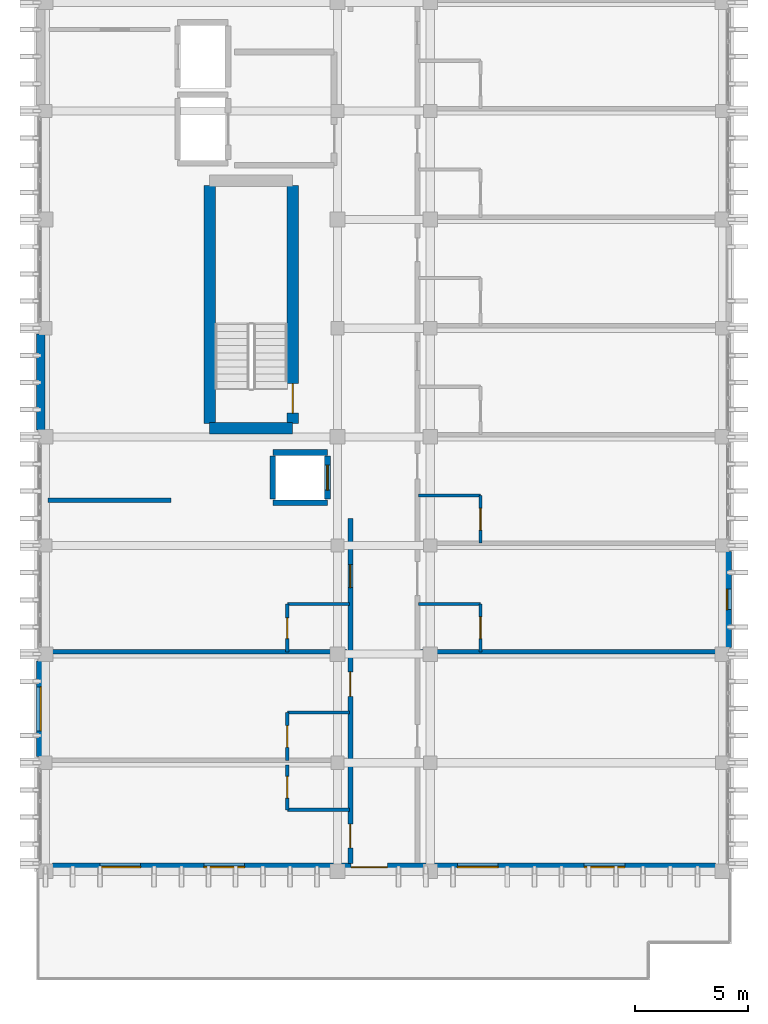
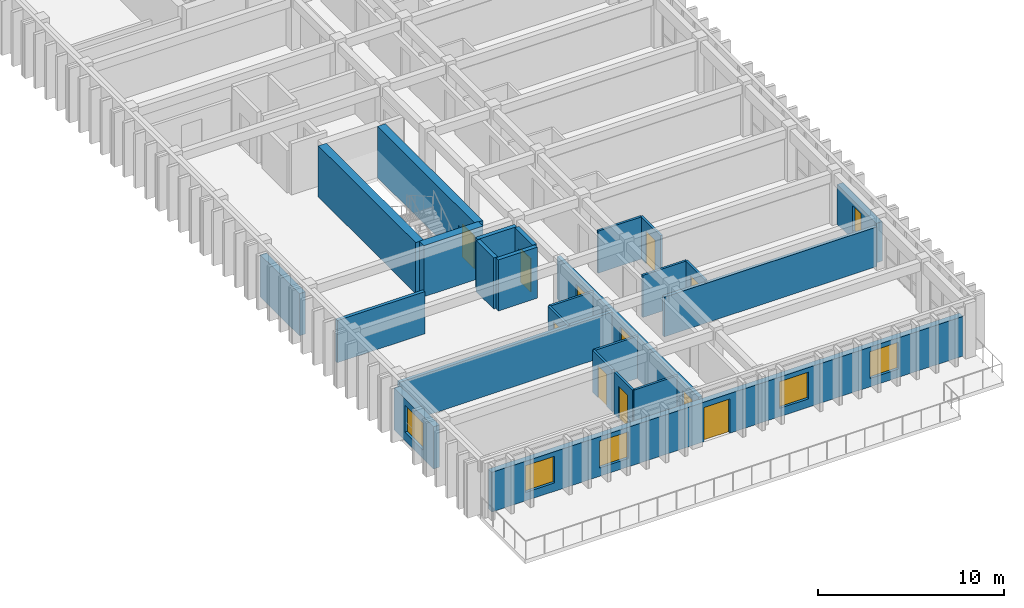
# One storey, part 40 of 49: 25 walls, 11 doors, 6 windows, 17 openings.
"""IFC4 building model written with IfcOpenShell, lengths in metres."""

from ifc_helpers import new_model, si_unit, direction, frame, frame_2d, origin, place, context, subcontext, project, spatial, rectangle, extrude, material, layer, layer_set, type_object, element, fill, save


model = new_model("IFC4")

# Units and contexts
model_context = context("Model", 3, precision=1e-05, world=origin(), true_north=direction((0.0, 1.0)))
body_context = subcontext(model_context, "Body", "Model", "MODEL_VIEW")
ifc_project = project(units=[si_unit("LENGTHUNIT", "METRE"), si_unit("AREAUNIT", "SQUARE_METRE"), si_unit("VOLUMEUNIT", "CUBIC_METRE"), si_unit("PLANEANGLEUNIT", "RADIAN"), si_unit("MASSUNIT", "GRAM", prefix="KILO")], contexts=[model_context])

# Site, building, storey
site_placement = place(None, origin())
site = spatial("IfcSite", under=ifc_project, at=site_placement, CompositionType="ELEMENT")
building_placement = place(site_placement, origin())
building = spatial("IfcBuilding", under=site, at=building_placement, Name="Nakhvara Creek Congress Hotel", CompositionType="ELEMENT")
storey_placement = place(building_placement, frame((0.0, 0.0, 39.0)))
storey = spatial("IfcBuildingStorey", under=building, at=storey_placement, Name="L09", CompositionType="ELEMENT", Elevation=39.0)

# Walls
ifc_material_1 = material(Name="Concrete C50/60", Category="concrete")
ifc_layer_1 = layer(ifc_material_1, 0.5)
ifc_layer_set_1 = layer_set([ifc_layer_1], Name="Concrete C50/60")
wall_type_1 = type_object("IfcWallType", Name="W-CORE-500", PredefinedType="SHEAR", material=ifc_layer_set_1)
wall_1_placement = place(storey_placement, frame((156.699951171875, 77.179931640625, 0.0), z_axis=(0.0, 0.0, 1.0), x_axis=(1.0, 0.0, 0.0)))
element("IfcWall", 1, at=wall_1_placement, inside=storey, type_object=wall_type_1, Name="Core Shear Wall WS01-CWALL-L09-0199", PredefinedType="SHEAR", context=body_context, shape_type="SweptSolid", body=[
    extrude(rectangle(XDim=3.670166015625, YDim=0.5, at=frame_2d((1.8349609375, 0.0))), origin(), (0.0, 0.0, 1.0), 3.360107421875),
])
wall_2_placement = place(storey_placement, frame((156.699951171875, 77.39990234375, 0.0), z_axis=(0.0, 0.0, 1.0), x_axis=(0.0, 1.0, 0.0)))
element("IfcWall", 2, at=wall_2_placement, inside=storey, type_object=wall_type_1, Name="Core Shear Wall WS01-CWALL-L09-0201", PredefinedType="SHEAR", context=body_context, shape_type="SweptSolid", body=[
    extrude(rectangle(XDim=10.5, YDim=0.5, at=frame_2d((5.25, 0.0))), origin(), (0.0, 0.0, 1.0), 3.360107421875),
])

# Wall, opening, door
wall_3_placement = place(storey_placement, frame((160.3701171875, 77.39990234375, 0.0), z_axis=(0.0, 0.0, 1.0), x_axis=(0.0, 1.0, 0.0)))
wall_3 = element("IfcWall", 3, at=wall_3_placement, inside=storey, type_object=wall_type_1, Name="Core Shear Wall WS01-CWALL-L09-0202", PredefinedType="SHEAR", context=body_context, shape_type="SweptSolid", body=[
    extrude(rectangle(XDim=10.5, YDim=0.5, at=frame_2d((5.25, 0.0))), origin(), (0.0, 0.0, 1.0), 3.360107421875),
])
opening_1_placement = place(wall_3_placement, frame((0.449951171875, 0.0, 0.0)))
opening_1 = element("IfcOpeningElement", 4, at=opening_1_placement, cuts=wall_3, Name="Opening FD04", PredefinedType="OPENING", context=body_context, shape_type="SweptSolid", body=[
    extrude(rectangle(XDim=1.300048828125, YDim=2.14990234375, at=frame_2d((0.64990234375, 1.074951171875))), frame((0.0, 0.261962890625, 0.0), z_axis=(0.0, -1.0, 0.0), x_axis=(1.0, 0.0, 0.0)), (0.0, 0.0, 1.0), 0.52392578125),
])
ifc_material_2 = material(Name="Powder-coated steel fire door", Category="steel")
door_type_1 = type_object("IfcDoorType", Name="DT-STAIR-130", OperationType="NOTDEFINED", PredefinedType="DOOR", material=ifc_material_2)
door_1_placement = place(opening_1_placement, frame((1.300048828125, 0.0, 0.0), z_axis=(0.0, 0.0, 1.0), x_axis=(-1.0, 0.0, 0.0)))
door_1 = element("IfcDoor", 5, at=door_1_placement, inside=storey, type_object=door_type_1, Name="Stair Exit Door ST01-L09", OperationType="SINGLE_SWING_LEFT", OverallHeight=2.14990234375, OverallWidth=1.300048828125, PredefinedType="DOOR", context=body_context, shape_type="SweptSolid", body=[
    extrude(rectangle(XDim=1.300048828125, YDim=2.14990234375, at=frame_2d((0.64990234375, 1.074951171875))), frame((0.0, 0.02490234375, 0.0), z_axis=(0.0, -1.0, 0.0), x_axis=(1.0, 0.0, 0.0)), (0.0, 0.0, 1.0), 0.050048828125),
])
fill(opening_1, door_1)

# Wall, openings, doors
ifc_material_3 = material(Name="Gypsum acoustic board on steel stud", Category="steel")
ifc_layer_2 = layer(ifc_material_3, 0.219970703125)
ifc_layer_set_2 = layer_set([ifc_layer_2], Name="Gypsum acoustic board on steel stud")
wall_type_2 = type_object("IfcWallType", Name="W-CORR-220", PredefinedType="PARTITIONING", material=ifc_layer_set_2)
wall_4_placement = place(storey_placement, frame((162.919921875, 57.949951171875, 0.0), z_axis=(0.0, 0.0, 1.0), x_axis=(0.0, 1.0, 0.0)))
wall_4 = element("IfcWall", 6, at=wall_4_placement, inside=storey, type_object=wall_type_2, Name="Interior Wall WP11-IW-L09-0646", PredefinedType="PARTITIONING", context=body_context, shape_type="SweptSolid", body=[
    extrude(rectangle(XDim=15.25, YDim=0.219970703125, at=frame_2d((7.625, 0.0))), origin(), (0.0, 0.0, 1.0), 2.77197265625),
])
opening_2_placement = place(wall_4_placement, frame((0.69091796875, 0.0, 0.0)))
opening_2 = element("IfcOpeningElement", 7, at=opening_2_placement, cuts=wall_4, Name="Opening ID04", PredefinedType="OPENING", context=body_context, shape_type="SweptSolid", body=[
    extrude(rectangle(XDim=1.050048828125, YDim=2.179931640625, at=frame_2d((0.52490234375, 1.08984375))), frame((0.0, 0.1220703125, 0.0), z_axis=(0.0, -1.0, 0.0), x_axis=(1.0, 0.0, 0.0)), (0.0, 0.0, 1.0), 0.243896484375),
])
opening_3_placement = place(wall_4_placement, frame((7.387939453125, 0.0, 0.0)))
opening_3 = element("IfcOpeningElement", 8, at=opening_3_placement, cuts=wall_4, Name="Opening GD02", PredefinedType="OPENING", context=body_context, shape_type="SweptSolid", body=[
    extrude(rectangle(XDim=1.080078125, YDim=2.25, at=frame_2d((0.5400390625, 1.125))), frame((0.0, 0.1220703125, 0.0), z_axis=(0.0, -1.0, 0.0), x_axis=(1.0, 0.0, 0.0)), (0.0, 0.0, 1.0), 0.243896484375),
])
opening_4_placement = place(wall_4_placement, frame((12.18798828125, 0.0, 0.0)))
opening_4 = element("IfcOpeningElement", 9, at=opening_4_placement, cuts=wall_4, Name="Opening GD01", PredefinedType="OPENING", context=body_context, shape_type="SweptSolid", body=[
    extrude(rectangle(XDim=1.02001953125, YDim=2.199951171875, at=frame_2d((0.510009765625, 1.10009765625))), frame((0.0, 0.1220703125, 0.0), z_axis=(0.0, -1.0, 0.0), x_axis=(1.0, 0.0, 0.0)), (0.0, 0.0, 1.0), 0.243896484375),
])
ifc_material_4 = material(Name="Walnut hardwood timber fire door", Category="wood")
door_type_2 = type_object("IfcDoorType", Name="DT-GUEST-102", OperationType="NOTDEFINED", PredefinedType="DOOR", material=ifc_material_4)
door_2_placement = place(opening_4_placement, frame((1.02001953125, 0.0, 0.0), z_axis=(0.0, 0.0, 1.0), x_axis=(-1.0, 0.0, 0.0)))
door_2 = element("IfcDoor", 10, at=door_2_placement, inside=storey, type_object=door_type_2, Name="Interior Door GD01-0484", OperationType="SINGLE_SWING_LEFT", OverallHeight=2.199951171875, OverallWidth=1.02001953125, PredefinedType="DOOR", context=body_context, shape_type="SweptSolid", body=[
    extrude(rectangle(XDim=1.02001953125, YDim=2.199951171875, at=frame_2d((0.510009765625, 1.10009765625))), frame((0.0, 0.02490234375, 0.0), z_axis=(0.0, -1.0, 0.0), x_axis=(1.0, 0.0, 0.0)), (0.0, 0.0, 1.0), 0.050048828125),
])
fill(opening_4, door_2)
door_type_3 = type_object("IfcDoorType", Name="DT-GUEST-108", OperationType="NOTDEFINED", PredefinedType="DOOR", material=ifc_material_4)
door_3_placement = place(opening_3_placement, frame((1.080078125, 0.0, 0.0), z_axis=(0.0, 0.0, 1.0), x_axis=(-1.0, 0.0, 0.0)))
door_3 = element("IfcDoor", 11, at=door_3_placement, inside=storey, type_object=door_type_3, Name="Interior Door GD02-0482", OperationType="SINGLE_SWING_LEFT", OverallHeight=2.25, OverallWidth=1.080078125, PredefinedType="DOOR", context=body_context, shape_type="SweptSolid", body=[
    extrude(rectangle(XDim=1.080078125, YDim=2.25, at=frame_2d((0.5400390625, 1.125))), frame((0.0, 0.02490234375, 0.0), z_axis=(0.0, -1.0, 0.0), x_axis=(1.0, 0.0, 0.0)), (0.0, 0.0, 1.0), 0.050048828125),
])
fill(opening_3, door_3)
ifc_material_5 = material(Name="Teak timber & frosted glass spa door", Category="wood")
door_type_4 = type_object("IfcDoorType", Name="DT-SPA-105", OperationType="NOTDEFINED", PredefinedType="DOOR", material=ifc_material_5)
door_4_placement = place(opening_2_placement, frame((1.050048828125, 0.0, 0.0), z_axis=(0.0, 0.0, 1.0), x_axis=(-1.0, 0.0, 0.0)))
door_4 = element("IfcDoor", 12, at=door_4_placement, inside=storey, type_object=door_type_4, Name="Interior Door ID04-0480", OperationType="SINGLE_SWING_LEFT", OverallHeight=2.179931640625, OverallWidth=1.050048828125, PredefinedType="DOOR", context=body_context, shape_type="SweptSolid", body=[
    extrude(rectangle(XDim=1.050048828125, YDim=2.179931640625, at=frame_2d((0.52490234375, 1.08984375))), frame((0.0, 0.02490234375, 0.0), z_axis=(0.0, -1.0, 0.0), x_axis=(1.0, 0.0, 0.0)), (0.0, 0.0, 1.0), 0.050048828125),
])
fill(opening_2, door_4)

# Wall, opening, door
ifc_material_6 = material(Name="Moisture-resistant gypsum board partition")
ifc_layer_3 = layer(ifc_material_6, 0.139892578125)
ifc_layer_set_3 = layer_set([ifc_layer_3], Name="Moisture-resistant gypsum board partition")
wall_type_3 = type_object("IfcWallType", Name="W-ENS-140", PredefinedType="PARTITIONING", material=ifc_layer_set_3)
wall_5_placement = place(storey_placement, frame((160.1298828125, 60.322021484375, 0.0), z_axis=(0.0, 0.0, 1.0), x_axis=(0.0, 1.0, 0.0)))
wall_5 = element("IfcWall", 13, at=wall_5_placement, inside=storey, type_object=wall_type_3, Name="Interior Wall WP15-IW-L09-0657", PredefinedType="PARTITIONING", context=body_context, shape_type="SweptSolid", body=[
    extrude(rectangle(XDim=1.97802734375, YDim=0.139892578125, at=frame_2d((0.989013671875, 0.0))), origin(), (0.0, 0.0, 1.0), 2.77197265625),
])
opening_5_placement = place(wall_5_placement, frame((0.513916015625, 0.0, 0.0)))
opening_5 = element("IfcOpeningElement", 14, at=opening_5_placement, cuts=wall_5, Name="Opening ID02", PredefinedType="OPENING", context=body_context, shape_type="SweptSolid", body=[
    extrude(rectangle(XDim=0.9599609375, YDim=2.1201171875, at=frame_2d((0.47998046875, 1.06005859375))), frame((0.0, 0.08203125, 0.0), z_axis=(0.0, -1.0, 0.0), x_axis=(1.0, 0.0, 0.0)), (0.0, 0.0, 1.0), 0.163818359375),
])
ifc_material_7 = material(Name="Moisture-resistant walnut timber door", Category="wood")
door_type_5 = type_object("IfcDoorType", Name="DT-ENS-096", OperationType="NOTDEFINED", PredefinedType="DOOR", material=ifc_material_7)
door_5_placement = place(opening_5_placement, origin())
door_5 = element("IfcDoor", 15, at=door_5_placement, inside=storey, type_object=door_type_5, Name="Interior Door ID02-0481", OperationType="SINGLE_SWING_RIGHT", OverallHeight=2.1201171875, OverallWidth=0.9599609375, PredefinedType="DOOR", context=body_context, shape_type="SweptSolid", body=[
    extrude(rectangle(XDim=0.9599609375, YDim=2.1201171875, at=frame_2d((0.47998046875, 1.06005859375))), frame((0.0, 0.02490234375, 0.0), z_axis=(0.0, -1.0, 0.0), x_axis=(1.0, 0.0, 0.0)), (0.0, 0.0, 1.0), 0.050048828125),
])
fill(opening_5, door_5)

# Wall
wall_6_placement = place(storey_placement, frame((160.1298828125, 60.322021484375, 0.0), z_axis=(0.0, 0.0, 1.0), x_axis=(1.0, 0.0, 0.0)))
element("IfcWall", 16, at=wall_6_placement, inside=storey, type_object=wall_type_3, Name="Interior Wall WP15-IW-L09-0658", PredefinedType="PARTITIONING", context=body_context, shape_type="SweptSolid", body=[
    extrude(rectangle(XDim=2.75, YDim=0.139892578125, at=frame_2d((1.375, 0.0))), origin(), (0.0, 0.0, 1.0), 2.77197265625),
])

# Wall, opening, door
wall_7_placement = place(storey_placement, frame((160.1298828125, 62.5, 0.0), z_axis=(0.0, 0.0, 1.0), x_axis=(0.0, 1.0, 0.0)))
wall_7 = element("IfcWall", 17, at=wall_7_placement, inside=storey, type_object=wall_type_3, Name="Interior Wall WP15-IW-L09-0660", PredefinedType="PARTITIONING", context=body_context, shape_type="SweptSolid", body=[
    extrude(rectangle(XDim=2.115966796875, YDim=0.139892578125, at=frame_2d((1.05810546875, 0.0))), origin(), (0.0, 0.0, 1.0), 2.77197265625),
])
opening_6_placement = place(wall_7_placement, frame((0.5830078125, 0.0, 0.0)))
opening_6 = element("IfcOpeningElement", 18, at=opening_6_placement, cuts=wall_7, Name="Opening ID02", PredefinedType="OPENING", context=body_context, shape_type="SweptSolid", body=[
    extrude(rectangle(XDim=0.9599609375, YDim=2.1201171875, at=frame_2d((0.47998046875, 1.06005859375))), frame((0.0, 0.08203125, 0.0), z_axis=(0.0, -1.0, 0.0), x_axis=(1.0, 0.0, 0.0)), (0.0, 0.0, 1.0), 0.163818359375),
])
door_6_placement = place(opening_6_placement, origin())
door_6 = element("IfcDoor", 19, at=door_6_placement, inside=storey, type_object=door_type_5, Name="Interior Door ID02-0483", OperationType="SINGLE_SWING_RIGHT", OverallHeight=2.1201171875, OverallWidth=0.9599609375, PredefinedType="DOOR", context=body_context, shape_type="SweptSolid", body=[
    extrude(rectangle(XDim=0.9599609375, YDim=2.1201171875, at=frame_2d((0.47998046875, 1.06005859375))), frame((0.0, 0.02490234375, 0.0), z_axis=(0.0, -1.0, 0.0), x_axis=(1.0, 0.0, 0.0)), (0.0, 0.0, 1.0), 0.050048828125),
])
fill(opening_6, door_6)

# Wall
wall_8_placement = place(storey_placement, frame((160.1298828125, 64.615966796875, 0.0), z_axis=(0.0, 0.0, 1.0), x_axis=(1.0, 0.0, 0.0)))
element("IfcWall", 20, at=wall_8_placement, inside=storey, type_object=wall_type_3, Name="Interior Wall WP15-IW-L09-0661", PredefinedType="PARTITIONING", context=body_context, shape_type="SweptSolid", body=[
    extrude(rectangle(XDim=2.75, YDim=0.139892578125, at=frame_2d((1.375, 0.0))), origin(), (0.0, 0.0, 1.0), 2.77197265625),
])

# Wall, opening, door
wall_9_placement = place(storey_placement, frame((160.1298828125, 67.300048828125, 0.0), z_axis=(0.0, 0.0, 1.0), x_axis=(0.0, 1.0, 0.0)))
wall_9 = element("IfcWall", 21, at=wall_9_placement, inside=storey, type_object=wall_type_3, Name="Interior Wall WP15-IW-L09-0663", PredefinedType="PARTITIONING", context=body_context, shape_type="SweptSolid", body=[
    extrude(rectangle(XDim=2.115966796875, YDim=0.139892578125, at=frame_2d((1.05810546875, 0.0))), origin(), (0.0, 0.0, 1.0), 2.77197265625),
])
opening_7_placement = place(wall_9_placement, frame((0.5830078125, 0.0, 0.0)))
opening_7 = element("IfcOpeningElement", 22, at=opening_7_placement, cuts=wall_9, Name="Opening ID01", PredefinedType="OPENING", context=body_context, shape_type="SweptSolid", body=[
    extrude(rectangle(XDim=0.919921875, YDim=2.10009765625, at=frame_2d((0.4599609375, 1.050048828125))), frame((0.0, 0.08203125, 0.0), z_axis=(0.0, -1.0, 0.0), x_axis=(1.0, 0.0, 0.0)), (0.0, 0.0, 1.0), 0.163818359375),
])
door_type_6 = type_object("IfcDoorType", Name="DT-ENS-092", OperationType="NOTDEFINED", PredefinedType="DOOR", material=ifc_material_7)
door_7_placement = place(opening_7_placement, origin())
door_7 = element("IfcDoor", 23, at=door_7_placement, inside=storey, type_object=door_type_6, Name="Interior Door ID01-0485", OperationType="SINGLE_SWING_RIGHT", OverallHeight=2.10009765625, OverallWidth=0.919921875, PredefinedType="DOOR", context=body_context, shape_type="SweptSolid", body=[
    extrude(rectangle(XDim=0.919921875, YDim=2.10009765625, at=frame_2d((0.4599609375, 1.050048828125))), frame((0.0, 0.02490234375, 0.0), z_axis=(0.0, -1.0, 0.0), x_axis=(1.0, 0.0, 0.0)), (0.0, 0.0, 1.0), 0.050048828125),
])
fill(opening_7, door_7)

# Wall
wall_10_placement = place(storey_placement, frame((160.1298828125, 69.416015625, 0.0), z_axis=(0.0, 0.0, 1.0), x_axis=(1.0, 0.0, 0.0)))
element("IfcWall", 24, at=wall_10_placement, inside=storey, type_object=wall_type_3, Name="Interior Wall WP15-IW-L09-0664", PredefinedType="PARTITIONING", context=body_context, shape_type="SweptSolid", body=[
    extrude(rectangle(XDim=2.75, YDim=0.139892578125, at=frame_2d((1.375, 0.0))), origin(), (0.0, 0.0, 1.0), 2.77197265625),
])

# Wall, opening, door
wall_11_placement = place(storey_placement, frame((168.669921875, 67.300048828125, 0.0), z_axis=(0.0, 0.0, 1.0), x_axis=(0.0, 1.0, 0.0)))
wall_11 = element("IfcWall", 25, at=wall_11_placement, inside=storey, type_object=wall_type_3, Name="Interior Wall WP15-IW-L09-0666", PredefinedType="PARTITIONING", context=body_context, shape_type="SweptSolid", body=[
    extrude(rectangle(XDim=2.115966796875, YDim=0.139892578125, at=frame_2d((1.05810546875, 0.0))), origin(), (0.0, 0.0, 1.0), 2.77197265625),
])
opening_8_placement = place(wall_11_placement, frame((0.5830078125, 0.0, 0.0)))
opening_8 = element("IfcOpeningElement", 26, at=opening_8_placement, cuts=wall_11, Name="Opening ID02", PredefinedType="OPENING", context=body_context, shape_type="SweptSolid", body=[
    extrude(rectangle(XDim=0.9599609375, YDim=2.1201171875, at=frame_2d((0.47998046875, 1.06005859375))), frame((0.0, 0.08203125, 0.0), z_axis=(0.0, -1.0, 0.0), x_axis=(1.0, 0.0, 0.0)), (0.0, 0.0, 1.0), 0.163818359375),
])
door_8_placement = place(opening_8_placement, frame((0.9599609375, 0.0, 0.0), z_axis=(0.0, 0.0, 1.0), x_axis=(-1.0, 0.0, 0.0)))
door_8 = element("IfcDoor", 27, at=door_8_placement, inside=storey, type_object=door_type_5, Name="Interior Door ID02-0487", OperationType="SINGLE_SWING_RIGHT", OverallHeight=2.1201171875, OverallWidth=0.9599609375, PredefinedType="DOOR", context=body_context, shape_type="SweptSolid", body=[
    extrude(rectangle(XDim=0.9599609375, YDim=2.1201171875, at=frame_2d((0.47998046875, 1.06005859375))), frame((0.0, 0.02490234375, 0.0), z_axis=(0.0, -1.0, 0.0), x_axis=(1.0, 0.0, 0.0)), (0.0, 0.0, 1.0), 0.050048828125),
])
fill(opening_8, door_8)

# Wall
wall_12_placement = place(storey_placement, frame((165.919921875, 69.416015625, 0.0), z_axis=(0.0, 0.0, 1.0), x_axis=(1.0, 0.0, 0.0)))
element("IfcWall", 28, at=wall_12_placement, inside=storey, type_object=wall_type_3, Name="Interior Wall WP15-IW-L09-0667", PredefinedType="PARTITIONING", context=body_context, shape_type="SweptSolid", body=[
    extrude(rectangle(XDim=2.75, YDim=0.139892578125, at=frame_2d((1.375, 0.0))), origin(), (0.0, 0.0, 1.0), 2.77197265625),
])

# Wall, opening, door
wall_13_placement = place(storey_placement, frame((168.669921875, 72.10009765625, 0.0), z_axis=(0.0, 0.0, 1.0), x_axis=(0.0, 1.0, 0.0)))
wall_13 = element("IfcWall", 29, at=wall_13_placement, inside=storey, type_object=wall_type_3, Name="Interior Wall WP15-IW-L09-0669", PredefinedType="PARTITIONING", context=body_context, shape_type="SweptSolid", body=[
    extrude(rectangle(XDim=2.115966796875, YDim=0.139892578125, at=frame_2d((1.05810546875, 0.0))), origin(), (0.0, 0.0, 1.0), 2.77197265625),
])
opening_9_placement = place(wall_13_placement, frame((0.5830078125, 0.0, 0.0)))
opening_9 = element("IfcOpeningElement", 30, at=opening_9_placement, cuts=wall_13, Name="Opening ID02", PredefinedType="OPENING", context=body_context, shape_type="SweptSolid", body=[
    extrude(rectangle(XDim=0.9599609375, YDim=2.1201171875, at=frame_2d((0.47998046875, 1.06005859375))), frame((0.0, 0.08203125, 0.0), z_axis=(0.0, -1.0, 0.0), x_axis=(1.0, 0.0, 0.0)), (0.0, 0.0, 1.0), 0.163818359375),
])
door_9_placement = place(opening_9_placement, frame((0.9599609375, 0.0, 0.0), z_axis=(0.0, 0.0, 1.0), x_axis=(-1.0, 0.0, 0.0)))
door_9 = element("IfcDoor", 31, at=door_9_placement, inside=storey, type_object=door_type_5, Name="Interior Door ID02-0489", OperationType="SINGLE_SWING_RIGHT", OverallHeight=2.1201171875, OverallWidth=0.9599609375, PredefinedType="DOOR", context=body_context, shape_type="SweptSolid", body=[
    extrude(rectangle(XDim=0.9599609375, YDim=2.1201171875, at=frame_2d((0.47998046875, 1.06005859375))), frame((0.0, 0.02490234375, 0.0), z_axis=(0.0, -1.0, 0.0), x_axis=(1.0, 0.0, 0.0)), (0.0, 0.0, 1.0), 0.050048828125),
])
fill(opening_9, door_9)

# Wall
wall_14_placement = place(storey_placement, frame((165.919921875, 74.216064453125, 0.0), z_axis=(0.0, 0.0, 1.0), x_axis=(1.0, 0.0, 0.0)))
element("IfcWall", 32, at=wall_14_placement, inside=storey, type_object=wall_type_3, Name="Interior Wall WP15-IW-L09-0670", PredefinedType="PARTITIONING", context=body_context, shape_type="SweptSolid", body=[
    extrude(rectangle(XDim=2.75, YDim=0.139892578125, at=frame_2d((1.375, 0.0))), origin(), (0.0, 0.0, 1.0), 2.77197265625),
])

# Wall, openings, door, windows
ifc_material_8 = material(Name="Honed pale Omani limestone cladding", Category="masonry")
ifc_layer_4 = layer(ifc_material_8, 0.050048828125)
ifc_material_9 = material(Name="Mineral wool thermal insulation")
ifc_layer_5 = layer(ifc_material_9, 0.110107421875)
ifc_material_10 = material(Name="Precast concrete C40/50", Category="concrete")
ifc_layer_6 = layer(ifc_material_10, 0.219970703125)
ifc_layer_set_4 = layer_set([ifc_layer_4, ifc_layer_5, ifc_layer_6], Name="Precast concrete C40/50")
wall_type_4 = type_object("IfcWallType", Name="W-EXT-380", PredefinedType="SOLIDWALL", material=ifc_layer_set_4)
wall_15_placement = place(storey_placement, frame((179.050048828125, 57.7900390625, 0.0), z_axis=(0.0, 0.0, 1.0), x_axis=(-1.0, 0.0, 0.0)))
wall_15 = element("IfcWall", 33, at=wall_15_placement, inside=storey, type_object=wall_type_4, Name="Exterior Wall WE03-EW-L09-0201", PredefinedType="SOLIDWALL", context=body_context, shape_type="SweptSolid", body=[
    extrude(rectangle(XDim=29.300048828125, YDim=0.3798828125, at=frame_2d((14.64990234375, 0.0))), origin(), (0.0, 0.0, 1.0), 2.60205078125),
])
opening_10_placement = place(wall_15_placement, frame((14.5, 0.0, 0.0)))
opening_10 = element("IfcOpeningElement", 34, at=opening_10_placement, cuts=wall_15, Name="Opening TDL09S", PredefinedType="OPENING", context=body_context, shape_type="SweptSolid", body=[
    extrude(rectangle(XDim=1.60009765625, YDim=2.25, at=frame_2d((0.800048828125, 1.125))), frame((0.0, 0.201904296875, 0.0), z_axis=(0.0, -1.0, 0.0), x_axis=(1.0, 0.0, 0.0)), (0.0, 0.0, 1.0), 0.40380859375),
])
opening_11_placement = place(wall_15_placement, frame((4.0, 0.0, 0.550048828125)))
opening_11 = element("IfcOpeningElement", 35, at=opening_11_placement, cuts=wall_15, Name="Opening WN0219", PredefinedType="OPENING", context=body_context, shape_type="SweptSolid", body=[
    extrude(rectangle(XDim=1.800048828125, YDim=1.760009765625, at=frame_2d((0.89990234375, 0.8798828125))), frame((0.0, 0.201904296875, 0.0), z_axis=(0.0, -1.0, 0.0), x_axis=(1.0, 0.0, 0.0)), (0.0, 0.0, 1.0), 0.40380859375),
])
opening_12_placement = place(wall_15_placement, frame((9.60009765625, 0.0, 0.550048828125)))
opening_12 = element("IfcOpeningElement", 36, at=opening_12_placement, cuts=wall_15, Name="Opening WN0220", PredefinedType="OPENING", context=body_context, shape_type="SweptSolid", body=[
    extrude(rectangle(XDim=1.800048828125, YDim=1.760009765625, at=frame_2d((0.89990234375, 0.8798828125))), frame((0.0, 0.201904296875, 0.0), z_axis=(0.0, -1.0, 0.0), x_axis=(1.0, 0.0, 0.0)), (0.0, 0.0, 1.0), 0.40380859375),
])
opening_13_placement = place(wall_15_placement, frame((20.800048828125, 0.0, 0.550048828125)))
opening_13 = element("IfcOpeningElement", 37, at=opening_13_placement, cuts=wall_15, Name="Opening WN0221", PredefinedType="OPENING", context=body_context, shape_type="SweptSolid", body=[
    extrude(rectangle(XDim=1.800048828125, YDim=1.760009765625, at=frame_2d((0.89990234375, 0.8798828125))), frame((0.0, 0.201904296875, 0.0), z_axis=(0.0, -1.0, 0.0), x_axis=(1.0, 0.0, 0.0)), (0.0, 0.0, 1.0), 0.40380859375),
])
opening_14_placement = place(wall_15_placement, frame((25.39990234375, 0.0, 0.550048828125)))
opening_14 = element("IfcOpeningElement", 38, at=opening_14_placement, cuts=wall_15, Name="Opening WN0222", PredefinedType="OPENING", context=body_context, shape_type="SweptSolid", body=[
    extrude(rectangle(XDim=1.800048828125, YDim=1.760009765625, at=frame_2d((0.89990234375, 0.8798828125))), frame((0.0, 0.201904296875, 0.0), z_axis=(0.0, -1.0, 0.0), x_axis=(1.0, 0.0, 0.0)), (0.0, 0.0, 1.0), 0.40380859375),
])
ifc_material_11 = material(Name="Bronze-anodised aluminium and laminated low-E glass", Category="aluminium")
door_type_7 = type_object("IfcDoorType", Name="DT-EXT-TER160", OperationType="DOUBLE_DOOR_SINGLE_SWING", PredefinedType="DOOR", material=ifc_material_11)
door_10_placement = place(opening_10_placement, origin())
door_10 = element("IfcDoor", 39, at=door_10_placement, inside=storey, type_object=door_type_7, Name="Creekside Setback Terrace Door TDL09S", OperationType="DOUBLE_DOOR_SINGLE_SWING", OverallHeight=2.25, OverallWidth=1.60009765625, PredefinedType="DOOR", context=body_context, shape_type="SweptSolid", body=[
    extrude(rectangle(XDim=1.60009765625, YDim=2.25, at=frame_2d((0.800048828125, 1.125))), frame((0.0, 0.02490234375, 0.0), z_axis=(0.0, -1.0, 0.0), x_axis=(1.0, 0.0, 0.0)), (0.0, 0.0, 1.0), 0.050048828125),
])
fill(opening_10, door_10)
ifc_material_12 = material(Name="Thermally broken bronze-anodised aluminium and double-silver low-E insulated glass", Category="aluminium")
window_type_1 = type_object("IfcWindowType", Name="WN-LAN-180X225", PartitioningType="SINGLE_PANEL", PredefinedType="WINDOW", material=ifc_material_12)
window_1_placement = place(opening_11_placement, origin())
window_1 = element("IfcWindow", 40, at=window_1_placement, inside=storey, type_object=window_type_1, Name="Facade Window WN0219", OverallHeight=1.760009765625, OverallWidth=1.800048828125, PartitioningType="SINGLE_PANEL", PredefinedType="WINDOW", context=body_context, shape_type="SweptSolid", body=[
    extrude(rectangle(XDim=1.800048828125, YDim=1.760009765625, at=frame_2d((0.89990234375, 0.8798828125))), frame((0.0, 0.030029296875, 0.0), z_axis=(0.0, -1.0, 0.0), x_axis=(1.0, 0.0, 0.0)), (0.0, 0.0, 1.0), 0.06005859375),
])
fill(opening_11, window_1)
window_2_placement = place(opening_12_placement, origin())
window_2 = element("IfcWindow", 41, at=window_2_placement, inside=storey, type_object=window_type_1, Name="Facade Window WN0220", OverallHeight=1.760009765625, OverallWidth=1.800048828125, PartitioningType="SINGLE_PANEL", PredefinedType="WINDOW", context=body_context, shape_type="SweptSolid", body=[
    extrude(rectangle(XDim=1.800048828125, YDim=1.760009765625, at=frame_2d((0.89990234375, 0.8798828125))), frame((0.0, 0.030029296875, 0.0), z_axis=(0.0, -1.0, 0.0), x_axis=(1.0, 0.0, 0.0)), (0.0, 0.0, 1.0), 0.06005859375),
])
fill(opening_12, window_2)
window_3_placement = place(opening_13_placement, origin())
window_3 = element("IfcWindow", 42, at=window_3_placement, inside=storey, type_object=window_type_1, Name="Facade Window WN0221", OverallHeight=1.760009765625, OverallWidth=1.800048828125, PartitioningType="SINGLE_PANEL", PredefinedType="WINDOW", context=body_context, shape_type="SweptSolid", body=[
    extrude(rectangle(XDim=1.800048828125, YDim=1.760009765625, at=frame_2d((0.89990234375, 0.8798828125))), frame((0.0, 0.030029296875, 0.0), z_axis=(0.0, -1.0, 0.0), x_axis=(1.0, 0.0, 0.0)), (0.0, 0.0, 1.0), 0.06005859375),
])
fill(opening_13, window_3)
window_4_placement = place(opening_14_placement, origin())
window_4 = element("IfcWindow", 43, at=window_4_placement, inside=storey, type_object=window_type_1, Name="Facade Window WN0222", OverallHeight=1.760009765625, OverallWidth=1.800048828125, PartitioningType="SINGLE_PANEL", PredefinedType="WINDOW", context=body_context, shape_type="SweptSolid", body=[
    extrude(rectangle(XDim=1.800048828125, YDim=1.760009765625, at=frame_2d((0.89990234375, 0.8798828125))), frame((0.0, 0.030029296875, 0.0), z_axis=(0.0, -1.0, 0.0), x_axis=(1.0, 0.0, 0.0)), (0.0, 0.0, 1.0), 0.06005859375),
])
fill(opening_14, window_4)

# Wall, opening, window
wall_16_placement = place(storey_placement, frame((149.239990234375, 62.6650390625, 0.0), z_axis=(0.0, 0.0, 1.0), x_axis=(0.0, 1.0, 0.0)))
wall_16 = element("IfcWall", 44, at=wall_16_placement, inside=storey, type_object=wall_type_4, Name="Exterior Wall WE03-EW-L09-0202", PredefinedType="SOLIDWALL", context=body_context, shape_type="SweptSolid", body=[
    extrude(rectangle(XDim=4.23486328125, YDim=0.3798828125, at=frame_2d((2.117431640625, 0.0))), origin(), (0.0, 0.0, 1.0), 2.77197265625),
])
opening_15_placement = place(wall_16_placement, frame((1.142578125, 0.0, 0.550048828125)))
opening_15 = element("IfcOpeningElement", 45, at=opening_15_placement, cuts=wall_16, Name="Opening WN0223", PredefinedType="OPENING", context=body_context, shape_type="SweptSolid", body=[
    extrude(rectangle(XDim=1.949951171875, YDim=1.77001953125, at=frame_2d((0.97509765625, 0.885009765625))), frame((0.0, 0.201904296875, 0.0), z_axis=(0.0, -1.0, 0.0), x_axis=(1.0, 0.0, 0.0)), (0.0, 0.0, 1.0), 0.40380859375),
])
window_type_2 = type_object("IfcWindowType", Name="WN-LAN-195X230", PartitioningType="SINGLE_PANEL", PredefinedType="WINDOW", material=ifc_material_12)
window_5_placement = place(opening_15_placement, origin())
window_5 = element("IfcWindow", 46, at=window_5_placement, inside=storey, type_object=window_type_2, Name="Facade Window WN0223", OverallHeight=1.77001953125, OverallWidth=1.949951171875, PartitioningType="SINGLE_PANEL", PredefinedType="WINDOW", context=body_context, shape_type="SweptSolid", body=[
    extrude(rectangle(XDim=1.949951171875, YDim=1.77001953125, at=frame_2d((0.97509765625, 0.885009765625))), frame((0.0, 0.030029296875, 0.0), z_axis=(0.0, -1.0, 0.0), x_axis=(1.0, 0.0, 0.0)), (0.0, 0.0, 1.0), 0.06005859375),
])
fill(opening_15, window_5)

wall_17_placement = place(storey_placement, frame((179.56005859375, 71.735107421875, 0.0), z_axis=(0.0, 0.0, 1.0), x_axis=(0.0, -1.0, 0.0)))
wall_17 = element("IfcWall", 47, at=wall_17_placement, inside=storey, type_object=wall_type_4, Name="Exterior Wall WE03-EW-L09-0203", PredefinedType="SOLIDWALL", context=body_context, shape_type="SweptSolid", body=[
    extrude(rectangle(XDim=4.235107421875, YDim=0.3798828125, at=frame_2d((2.11767578125, 0.0))), origin(), (0.0, 0.0, 1.0), 2.60205078125),
])
opening_16_placement = place(wall_17_placement, frame((1.66748046875, 0.0, 0.550048828125)))
opening_16 = element("IfcOpeningElement", 48, at=opening_16_placement, cuts=wall_17, Name="Opening WN0224", PredefinedType="OPENING", context=body_context, shape_type="SweptSolid", body=[
    extrude(rectangle(XDim=0.89990234375, YDim=1.679931640625, at=frame_2d((0.449951171875, 0.83984375))), frame((0.0, 0.201904296875, 0.0), z_axis=(0.0, -1.0, 0.0), x_axis=(1.0, 0.0, 0.0)), (0.0, 0.0, 1.0), 0.40380859375),
])
window_type_3 = type_object("IfcWindowType", Name="WN-LAN-090X210", PartitioningType="SINGLE_PANEL", PredefinedType="WINDOW", material=ifc_material_12)
window_6_placement = place(opening_16_placement, origin())
window_6 = element("IfcWindow", 49, at=window_6_placement, inside=storey, type_object=window_type_3, Name="Facade Window WN0224", OverallHeight=1.679931640625, OverallWidth=0.89990234375, PartitioningType="SINGLE_PANEL", PredefinedType="WINDOW", context=body_context, shape_type="SweptSolid", body=[
    extrude(rectangle(XDim=0.89990234375, YDim=1.679931640625, at=frame_2d((0.449951171875, 0.83984375))), frame((0.0, 0.030029296875, 0.0), z_axis=(0.0, -1.0, 0.0), x_axis=(1.0, 0.0, 0.0)), (0.0, 0.0, 1.0), 0.06005859375),
])
fill(opening_16, window_6)

# Walls
wall_18_placement = place(storey_placement, frame((149.239990234375, 77.10009765625, 0.0), z_axis=(0.0, 0.0, 1.0), x_axis=(0.0, 1.0, 0.0)))
element("IfcWall", 50, at=wall_18_placement, inside=storey, type_object=wall_type_4, Name="Exterior Wall WE03-EW-L09-0204", PredefinedType="SOLIDWALL", context=body_context, shape_type="SweptSolid", body=[
    extrude(rectangle(XDim=4.23486328125, YDim=0.3798828125, at=frame_2d((2.117431640625, 0.0))), origin(), (0.0, 0.0, 1.0), 2.77197265625),
])
ifc_layer_7 = layer(ifc_material_3, 0.199951171875)
ifc_layer_set_5 = layer_set([ifc_layer_7], Name="Gypsum acoustic board on steel stud")
wall_type_5 = type_object("IfcWallType", Name="W-PART-200", PredefinedType="PARTITIONING", material=ifc_layer_set_5)
wall_19_placement = place(storey_placement, frame((149.550048828125, 74.0, 0.0), z_axis=(0.0, 0.0, 1.0), x_axis=(1.0, 0.0, 0.0)))
element("IfcWall", 51, at=wall_19_placement, inside=storey, type_object=wall_type_5, Name="Interior Wall WP12-IW-L09-0654", PredefinedType="PARTITIONING", context=body_context, shape_type="SweptSolid", body=[
    extrude(rectangle(XDim=5.449951171875, YDim=0.199951171875, at=frame_2d((2.72509765625, 0.0))), origin(), (0.0, 0.0, 1.0), 2.77197265625),
])
wall_20_placement = place(storey_placement, frame((149.550048828125, 67.300048828125, 0.0), z_axis=(0.0, 0.0, 1.0), x_axis=(1.0, 0.0, 0.0)))
element("IfcWall", 52, at=wall_20_placement, inside=storey, type_object=wall_type_5, Name="Interior Wall WP12-IW-L09-0662", PredefinedType="PARTITIONING", context=body_context, shape_type="SweptSolid", body=[
    extrude(rectangle(XDim=13.22998046875, YDim=0.199951171875, at=frame_2d((6.614990234375, 0.0))), origin(), (0.0, 0.0, 1.0), 2.77197265625),
])
wall_21_placement = place(storey_placement, frame((166.02001953125, 67.300048828125, 0.0), z_axis=(0.0, 0.0, 1.0), x_axis=(1.0, 0.0, 0.0)))
element("IfcWall", 53, at=wall_21_placement, inside=storey, type_object=wall_type_5, Name="Interior Wall WP12-IW-L09-0665", PredefinedType="PARTITIONING", context=body_context, shape_type="SweptSolid", body=[
    extrude(rectangle(XDim=13.22998046875, YDim=0.199951171875, at=frame_2d((6.614990234375, 0.0))), origin(), (0.0, 0.0, 1.0), 2.60205078125),
])
ifc_material_13 = material(Name="Concrete C40/50", Category="concrete")
ifc_layer_8 = layer(ifc_material_13, 0.25)
ifc_layer_set_6 = layer_set([ifc_layer_8], Name="Concrete C40/50")
wall_type_6 = type_object("IfcWallType", Name="W-SHAFT-250", PredefinedType="SOLIDWALL", material=ifc_layer_set_6)
for number, where, z_axis, x_axis, name in (
    (54, (159.489990234375, 73.889892578125, 0.0), (0.0, 0.0, 1.0), (1.0, 0.0, 0.0), "Core Shear Wall WI02-CWALL-L09-0210"),
    (55, (159.489990234375, 76.110107421875, 0.0), (0.0, 0.0, 1.0), (1.0, 0.0, 0.0), "Core Shear Wall WI02-CWALL-L09-0211"),
):
    element("IfcWall", number, at=place(storey_placement, frame(where, z_axis=z_axis, x_axis=x_axis)), inside=storey, type_object=wall_type_6, Name=name, PredefinedType="SOLIDWALL", context=body_context, shape_type="SweptSolid", body=[
        extrude(rectangle(XDim=2.419921875, YDim=0.25, at=frame_2d((1.2099609375, 0.0))), origin(), (0.0, 0.0, 1.0), 3.360107421875),
    ])
wall_22_placement = place(storey_placement, frame((159.489990234375, 74.050048828125, 0.0), z_axis=(0.0, 0.0, 1.0), x_axis=(0.0, 1.0, 0.0)))
element("IfcWall", 56, at=wall_22_placement, inside=storey, type_object=wall_type_6, Name="Core Shear Wall WI02-CWALL-L09-0212", PredefinedType="SOLIDWALL", context=body_context, shape_type="SweptSolid", body=[
    extrude(rectangle(XDim=1.89990234375, YDim=0.25, at=frame_2d((0.949951171875, 0.0))), origin(), (0.0, 0.0, 1.0), 3.360107421875),
])

# Wall, opening, door
wall_23_placement = place(storey_placement, frame((161.909912109375, 74.050048828125, 0.0), z_axis=(0.0, 0.0, 1.0), x_axis=(0.0, 1.0, 0.0)))
wall_23 = element("IfcWall", 57, at=wall_23_placement, inside=storey, type_object=wall_type_6, Name="Core Shear Wall WI02-CWALL-L09-0213", PredefinedType="SOLIDWALL", context=body_context, shape_type="SweptSolid", body=[
    extrude(rectangle(XDim=1.89990234375, YDim=0.25, at=frame_2d((0.949951171875, 0.0))), origin(), (0.0, 0.0, 1.0), 3.360107421875),
])
opening_17_placement = place(wall_23_placement, frame((0.39990234375, 0.0, 0.0)))
opening_17 = element("IfcOpeningElement", 58, at=opening_17_placement, cuts=wall_23, Name="Opening LD01", PredefinedType="OPENING", context=body_context, shape_type="SweptSolid", body=[
    extrude(rectangle(XDim=1.10009765625, YDim=2.199951171875, at=frame_2d((0.550048828125, 1.10009765625))), frame((0.0, 0.136962890625, 0.0), z_axis=(0.0, -1.0, 0.0), x_axis=(1.0, 0.0, 0.0)), (0.0, 0.0, 1.0), 0.27392578125),
])
ifc_material_14 = material(Name="Brushed stainless steel sliding landing door", Category="steel")
door_type_8 = type_object("IfcDoorType", Name="DT-LIFT-110", OperationType="DOUBLE_DOOR_SLIDING", PredefinedType="DOOR", material=ifc_material_14)
door_11_placement = place(opening_17_placement, origin())
door_11 = element("IfcDoor", 59, at=door_11_placement, inside=storey, type_object=door_type_8, Name="Landing Door PL02-L09", OperationType="SLIDING_TO_LEFT", OverallHeight=2.199951171875, OverallWidth=1.10009765625, PredefinedType="DOOR", context=body_context, shape_type="SweptSolid", body=[
    extrude(rectangle(XDim=1.10009765625, YDim=2.199951171875, at=frame_2d((0.550048828125, 1.10009765625))), frame((0.0, 0.02490234375, 0.0), z_axis=(0.0, -1.0, 0.0), x_axis=(1.0, 0.0, 0.0)), (0.0, 0.0, 1.0), 0.050048828125),
])
fill(opening_17, door_11)

save(model, "model.ifc")
